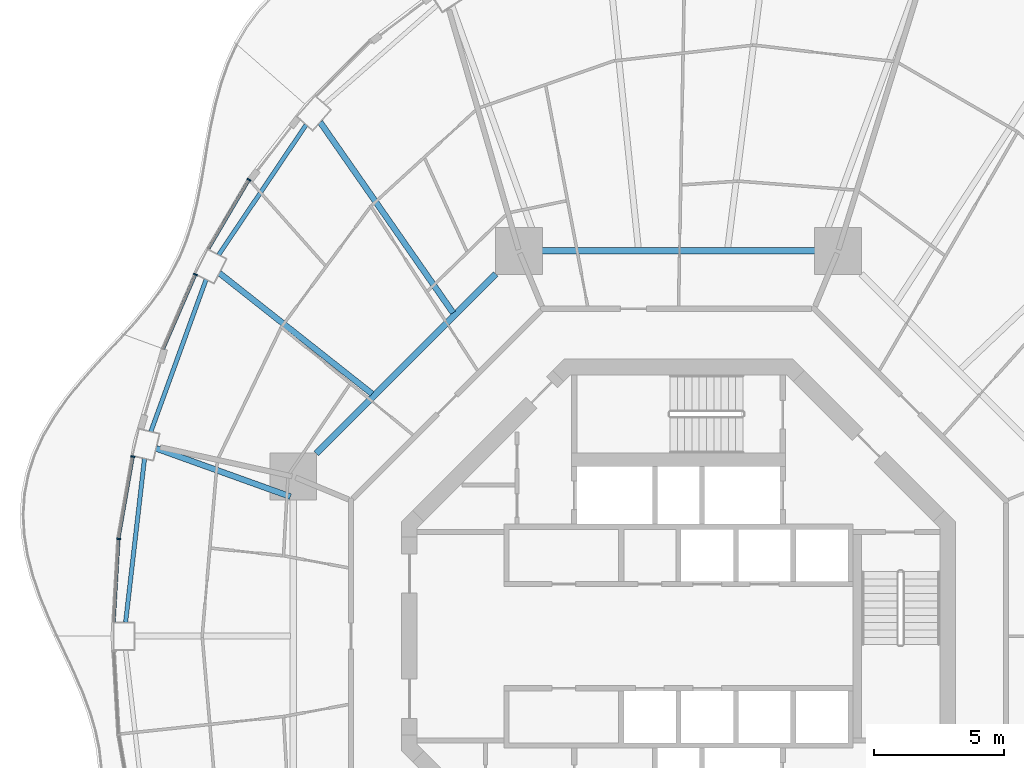
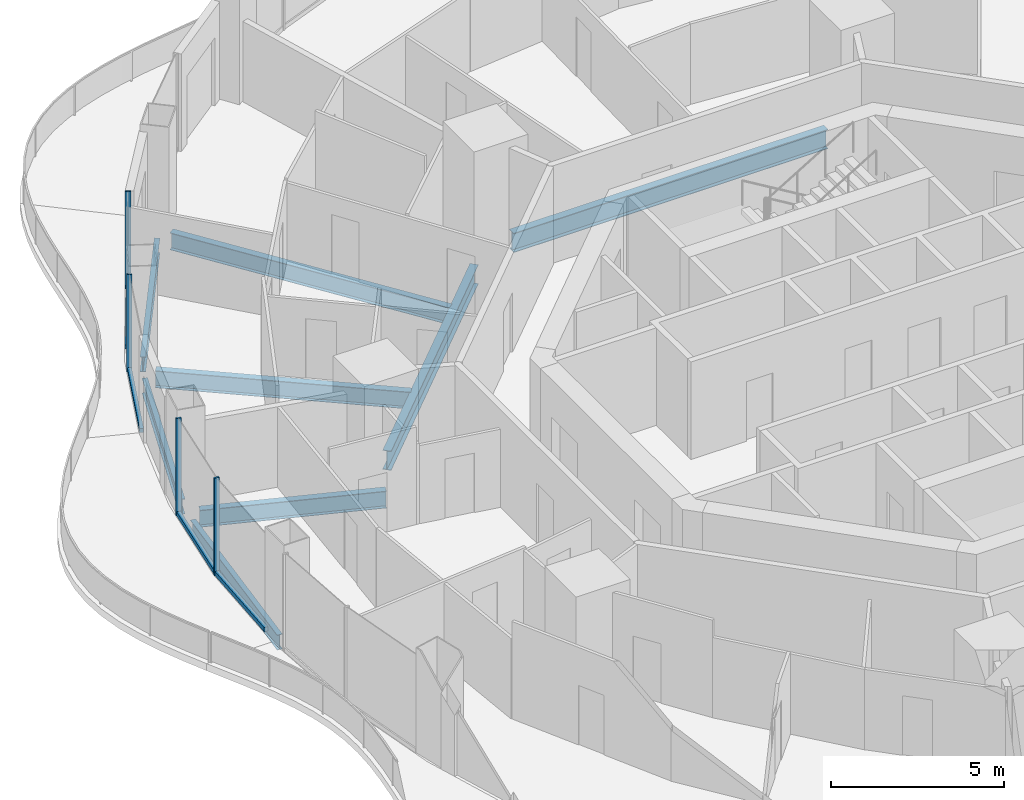
# One storey, part 6 of 19: 8 beams, 8 members, 4 elements without a shape of their own.
"""IFC4 building model written with IfcOpenShell, lengths in metres."""

import ifcopenshell
import ifcopenshell.guid

model = None  # the IFC model being written
_history = None  # IfcOwnerHistory: only IFC2X3 demands one
_inside = {}  # id of a spatial element -> (the spatial element, [elements in it])
_under = {}  # id of a project, library or spatial element -> (it, [spatial elements below it])
_declared = {}  # id of a project -> (the project, [libraries it declares])
_typed = {}  # id of a type object -> (the type object, [elements of that type])
_made_of = {}  # id of a material, layer set ... -> (it, [elements and type objects made of it])


def new_model(schema):
    """Start an empty IFC model of exactly this schema.

    Asked for "IFC4X3", IfcOpenShell would pick the latest addendum, in which some entities
    have other attributes; the version numbers below select the first issue.
    IFC2X3 requires an IfcOwnerHistory on every rooted entity: one is made here for all.
    """
    global model, _history
    if schema == "IFC4X3":
        model = ifcopenshell.file(schema_version=(4, 3, 0, 0))
    else:
        model = ifcopenshell.file(schema=schema)
    _inside.clear()
    _under.clear()
    _declared.clear()
    _typed.clear()
    _made_of.clear()
    _history = None
    if model.schema == "IFC2X3":
        org = make("IfcOrganization", Name="unknown")
        user = make(
            "IfcPersonAndOrganization",
            ThePerson=make("IfcPerson", FamilyName="unknown"),
            TheOrganization=org,
        )
        app = make(
            "IfcApplication",
            ApplicationDeveloper=org,
            Version="unknown",
            ApplicationFullName="unknown",
            ApplicationIdentifier="unknown",
        )
        _history = make(
            "IfcOwnerHistory",
            OwningUser=user,
            OwningApplication=app,
            ChangeAction="ADDED",
            CreationDate=0,
        )
    return model


def make(cls, **values):
    """One entity of the class cls with the attributes given. An attribute that is None is left unset."""
    return model.create_entity(
        cls, **{name: value for name, value in values.items() if value is not None}
    )


def rooted(cls, **values):
    """An entity with a GlobalId (a new one), such as an element, a storey or a relation."""
    return make(cls, GlobalId=ifcopenshell.guid.new(), OwnerHistory=_history, **values)


def si_unit(unit_type, name, prefix=None):
    """IfcSIUnit, for example si_unit("LENGTHUNIT", "METRE", prefix="MILLI")."""
    return make("IfcSIUnit", UnitType=unit_type, Prefix=prefix, Name=name)


def assignment(units):
    """IfcUnitAssignment: the units of a project."""
    return None if units is None else make("IfcUnitAssignment", Units=units)


def point(xyz):
    """IfcCartesianPoint."""
    return None if xyz is None else make("IfcCartesianPoint", Coordinates=xyz)


def direction(xyz):
    """IfcDirection."""
    return None if xyz is None else make("IfcDirection", DirectionRatios=xyz)


def frame(location, z_axis=None, x_axis=None):
    """IfcAxis2Placement3D, a coordinate frame: its origin and axes. An axis left out is left unset."""
    return make(
        "IfcAxis2Placement3D",
        Location=point(location),
        Axis=direction(z_axis),
        RefDirection=direction(x_axis),
    )


def frame_2d(location, x_axis=None):
    """IfcAxis2Placement2D, a coordinate frame in the plane: its origin and x axis."""
    return make(
        "IfcAxis2Placement2D", Location=point(location), RefDirection=direction(x_axis)
    )


def origin():
    """The frame at (0, 0, 0) with its axes left unset."""
    return frame((0.0, 0.0, 0.0))


def origin_2d():
    """The frame at (0, 0) in the plane with its x axis left unset."""
    return frame_2d((0.0, 0.0))


def place(relative_to, where):
    """IfcLocalPlacement: puts the frame where relative to a parent placement (None: the world)."""
    return make(
        "IfcLocalPlacement", PlacementRelTo=relative_to, RelativePlacement=where
    )


def context(
    kind, dimensions, precision=None, world=None, true_north=None, identifier=None
):
    """IfcGeometricRepresentationContext, for example the 3D "Model" context."""
    return make(
        "IfcGeometricRepresentationContext",
        ContextIdentifier=identifier,
        ContextType=kind,
        CoordinateSpaceDimension=dimensions,
        Precision=precision,
        WorldCoordinateSystem=world,
        TrueNorth=true_north,
    )


def subcontext(parent, identifier, kind, view, scale=None):
    """IfcGeometricRepresentationSubContext, for example "Body" below "Model"."""
    return make(
        "IfcGeometricRepresentationSubContext",
        ContextIdentifier=identifier,
        ContextType=kind,
        ParentContext=parent,
        TargetScale=scale,
        TargetView=view,
    )


def project(units=None, contexts=None):
    """IfcProject with its units and contexts."""
    return rooted(
        "IfcProject",
        Name="project",
        RepresentationContexts=contexts,
        UnitsInContext=assignment(units),
    )


def spatial(cls, under=None, at=None, **own):
    """A site, building, storey or space (cls), placed at a placement, below another one or the project."""
    s = rooted(cls, ObjectPlacement=at, **own)
    if under is not None:
        _under.setdefault(under.id(), (under, []))[1].append(s)
    return s


def profile(cls, at=None, kind="AREA", **sizes):
    """A parametric profile (cls). Its sizes go by their IFC names, for example OverallWidth=200.0."""
    return make(cls, ProfileType=kind, Position=at, **sizes)


def rectangle(**sizes):
    """IfcRectangleProfileDef."""
    return profile("IfcRectangleProfileDef", **sizes)


def i_section(**sizes):
    """IfcIShapeProfileDef."""
    return profile("IfcIShapeProfileDef", **sizes)


def extrude(swept, where, along, depth):
    """IfcExtrudedAreaSolid: the profile swept, set in the frame where, extruded along a direction by depth."""
    return make(
        "IfcExtrudedAreaSolid",
        SweptArea=swept,
        Position=where,
        ExtrudedDirection=direction(along),
        Depth=depth,
    )


def shape(context_of_items, identifier, shape_type, items):
    """IfcShapeRepresentation: the items that make up one representation, for example the "Body"."""
    return make(
        "IfcShapeRepresentation",
        ContextOfItems=context_of_items,
        RepresentationIdentifier=identifier,
        RepresentationType=shape_type,
        Items=items,
    )


def material(Name=None, Category=None):
    """IfcMaterial."""
    return make("IfcMaterial", Name=Name, Category=Category)


def layer(
    of_material, thickness, ventilated=None, Name=None, Category=None, Priority=None
):
    """IfcMaterialLayer: one layer of a wall or slab, of a material (None: an air gap)."""
    return make(
        "IfcMaterialLayer",
        Material=of_material,
        LayerThickness=thickness,
        IsVentilated=ventilated,
        Name=Name,
        Category=Category,
        Priority=Priority,
    )


def layer_set(layers, Name=None):
    """IfcMaterialLayerSet."""
    return make("IfcMaterialLayerSet", MaterialLayers=layers, LayerSetName=Name)


def material_profile(
    of_material, cross_section, Name=None, Category=None, Priority=None
):
    """IfcMaterialProfile: a cross section and its material."""
    return make(
        "IfcMaterialProfile",
        Name=Name,
        Material=of_material,
        Profile=cross_section,
        Priority=Priority,
        Category=Category,
    )


def profile_set(profiles, Name=None, composite=None):
    """IfcMaterialProfileSet."""
    return make(
        "IfcMaterialProfileSet",
        Name=Name,
        MaterialProfiles=profiles,
        CompositeProfile=composite,
    )


def made_of(thing, what):
    """Note that an element or type object is made of a material, layer set ...; save() writes the relation."""
    if what is not None:
        _made_of.setdefault(what.id(), (what, []))[1].append(thing)
    return thing


def type_object(cls, material=None, **own):
    """A type object (cls), such as IfcWallType, which elements share."""
    return made_of(rooted(cls, **own), material)


def element(
    cls,
    number,
    at=None,
    inside=None,
    cuts=None,
    type_object=None,
    material=None,
    context=None,
    identifier="Body",
    shape_type=None,
    held_by="IfcProductDefinitionShape",
    body=None,
    shapes=None,
    **own,
):
    """One element of the class cls, such as IfcWall. Its Tag is "e" and its number.

    at: its placement. inside: the storey or other place that contains it. cuts: it is an
    opening in that element (IfcRelVoidsElement). A single representation is given by context,
    identifier, shape_type and body (its items); several are given by shapes. held_by: the class
    of the entity that holds the representations. save() writes the other relations.
    """
    e = rooted(cls, Tag="e%d" % number, ObjectPlacement=at, **own)
    if body is not None:
        shapes = [shape(context, identifier, shape_type, body)]
    if shapes is not None:
        e.Representation = make(held_by, Representations=shapes)
    if inside is not None:
        _inside.setdefault(inside.id(), (inside, []))[1].append(e)
    if cuts is not None:
        rooted(
            "IfcRelVoidsElement", RelatingBuildingElement=cuts, RelatedOpeningElement=e
        )
    if type_object is not None:
        _typed.setdefault(type_object.id(), (type_object, []))[1].append(e)
    return made_of(e, material)


def aggregate(whole, parts):
    """IfcRelAggregates: a whole, such as a stair, and the parts it consists of."""
    return rooted("IfcRelAggregates", RelatingObject=whole, RelatedObjects=parts)


def save(model, path):
    """Write the relations noted so far, then the file.

    IfcRelAggregates (storeys below a building ...), IfcRelContainedInSpatialStructure (elements
    in a storey), IfcRelDefinesByType, IfcRelAssociatesMaterial and IfcRelDeclares: one each for
    every whole, place, type object, material and project.
    """
    for whole, parts in _under.values():
        aggregate(whole, parts)
    for where, things in _inside.values():
        rooted(
            "IfcRelContainedInSpatialStructure",
            RelatedElements=things,
            RelatingStructure=where,
        )
    for kind, things in _typed.values():
        rooted("IfcRelDefinesByType", RelatedObjects=things, RelatingType=kind)
    for what, things in _made_of.values():
        rooted("IfcRelAssociatesMaterial", RelatedObjects=things, RelatingMaterial=what)
    for by, libraries in _declared.values():
        rooted("IfcRelDeclares", RelatingContext=by, RelatedDefinitions=libraries)
    model.write(path)


model = new_model("IFC4")

# Units and contexts
model_context = context("Model", 3, precision=1e-05, world=origin(), true_north=direction((0.0, 1.0)))
body_context = subcontext(model_context, "Body", "Model", "MODEL_VIEW")
ifc_project = project(units=[si_unit("LENGTHUNIT", "METRE"), si_unit("AREAUNIT", "SQUARE_METRE"), si_unit("VOLUMEUNIT", "CUBIC_METRE"), si_unit("PLANEANGLEUNIT", "RADIAN"), si_unit("MASSUNIT", "GRAM", prefix="KILO")], contexts=[model_context])

# Site, building, storey
site_placement = place(None, origin())
site = spatial("IfcSite", under=ifc_project, at=site_placement, CompositionType="ELEMENT")
building_placement = place(site_placement, origin())
building = spatial("IfcBuilding", under=site, at=building_placement, Name="Nagisa Residences", CompositionType="ELEMENT")
storey_placement = place(building_placement, frame((0.0, 0.0, 188.10009765625)))
storey = spatial("IfcBuildingStorey", under=building, at=storey_placement, Name="L47", CompositionType="ELEMENT", Elevation=188.10009765625)

# Curtain wall, member
ifc_material_1 = material(Name="Concrete-coloured aluminium curtain wall system", Category="concrete")
ifc_layer = layer(ifc_material_1, 0.159912109375)
ifc_layer_set = layer_set([ifc_layer], Name="CW1 CURTAIN WALL")
curtain_wall_type = type_object("IfcCurtainWallType", Name="CW1 CURTAIN WALL", PredefinedType="NOTDEFINED", material=ifc_layer_set)
curtain_wall_1_placement = place(storey_placement, origin())
curtain_wall_1 = element("IfcCurtainWall", 1, at=curtain_wall_1_placement, inside=storey, type_object=curtain_wall_type, Name="cw:CW1:L47:19", PredefinedType="NOTDEFINED")
ifc_material_2 = material(Name="Concrete-coloured aluminium", Category="concrete")
ifc_material_profile_1 = material_profile(ifc_material_2, rectangle(XDim=0.159912109375, YDim=0.06005859375, at=origin_2d()), Name="CW1 MULLION 160x60")
ifc_profile_set_1 = profile_set([ifc_material_profile_1], Name="Concrete-coloured aluminium")
member_type_1 = type_object("IfcMemberType", Name="CW1 MULLION 160x60", PredefinedType="MULLION", material=ifc_profile_set_1)
member_1_placement = place(storey_placement, frame((-16.4775390625, 17.51171875, 0.0), z_axis=(0.0, 0.0, 1.0), x_axis=(0.862328898214, -0.506348567002, 0.0)))
member_1 = element("IfcMember", 2, at=member_1_placement, type_object=member_type_1, Name="CW1 mullion", PredefinedType="MULLION", context=body_context, shape_type="SweptSolid", body=[
    extrude(rectangle(XDim=0.159912109375, YDim=0.06005859375, at=origin_2d()), origin(), (0.0, 0.0, 1.0), 3.43994140625),
])

curtain_wall_2_placement = place(storey_placement, origin())
curtain_wall_2 = element("IfcCurtainWall", 3, at=curtain_wall_2_placement, inside=storey, type_object=curtain_wall_type, Name="cw:CW1:L47:20", PredefinedType="NOTDEFINED")
member_2_placement = place(storey_placement, frame((-18.53271484375, 13.87353515625, 0.0), z_axis=(0.0, 0.0, 1.0), x_axis=(0.917543276295, -0.397635934147, 0.0)))
member_2 = element("IfcMember", 4, at=member_2_placement, type_object=member_type_1, Name="CW1 mullion", PredefinedType="MULLION", context=body_context, shape_type="SweptSolid", body=[
    extrude(rectangle(XDim=0.159912109375, YDim=0.06005859375, at=origin_2d()), origin(), (0.0, 0.0, 1.0), 3.43994140625),
])

curtain_wall_3_placement = place(storey_placement, origin())
curtain_wall_3 = element("IfcCurtainWall", 5, at=curtain_wall_3_placement, inside=storey, type_object=curtain_wall_type, Name="cw:CW1:L47:22", PredefinedType="NOTDEFINED")
member_3_placement = place(storey_placement, frame((-20.931396484375, 6.88818359375, 0.0), z_axis=(0.0, 0.0, 1.0), x_axis=(0.985063604377, -0.172190868898, 0.0)))
member_3 = element("IfcMember", 6, at=member_3_placement, type_object=member_type_1, Name="CW1 mullion", PredefinedType="MULLION", context=body_context, shape_type="SweptSolid", body=[
    extrude(rectangle(XDim=0.159912109375, YDim=0.06005859375, at=origin_2d()), origin(), (0.0, 0.0, 1.0), 3.43994140625),
])

curtain_wall_4_placement = place(storey_placement, origin())
curtain_wall_4 = element("IfcCurtainWall", 7, at=curtain_wall_4_placement, inside=storey, type_object=curtain_wall_type, Name="cw:CW1:L47:23", PredefinedType="NOTDEFINED")
member_4_placement = place(storey_placement, frame((-21.479736328125, 3.734375, 0.0), z_axis=(0.0, 0.0, 1.0), x_axis=(0.998345305184, -0.057503492216, 0.0)))
member_4 = element("IfcMember", 8, at=member_4_placement, type_object=member_type_1, Name="CW1 mullion", PredefinedType="MULLION", context=body_context, shape_type="SweptSolid", body=[
    extrude(rectangle(XDim=0.159912109375, YDim=0.06005859375, at=origin_2d()), origin(), (0.0, 0.0, 1.0), 3.43994140625),
])

# Member
ifc_material_3 = material(Name="Concrete-coloured aluminium", Category="concrete")
ifc_material_profile_2 = material_profile(ifc_material_3, rectangle(XDim=0.1201171875, YDim=0.14990234375, at=origin_2d()), Name="CW1 TRANSOM 120x150")
ifc_profile_set_2 = profile_set([ifc_material_profile_2], Name="Concrete-coloured aluminium")
member_type_2 = type_object("IfcMemberType", Name="CW1 TRANSOM 120x150", PredefinedType="USERDEFINED", material=ifc_profile_set_2)
member_5_placement = place(storey_placement, frame((-16.46240234375, 17.53759765625, 0.074951171875), z_axis=(-0.506309086483, -0.862352079458, 0.0), x_axis=(0.862352079458, -0.506309086483, 0.0)))
member_5 = element("IfcMember", 9, at=member_5_placement, type_object=member_type_2, Name="CW1 transom", ObjectType="TRANSOM", PredefinedType="USERDEFINED", context=body_context, shape_type="SweptSolid", body=[
    extrude(rectangle(XDim=0.1201171875, YDim=0.14990234375, at=origin_2d()), origin(), (0.0, 0.0, 1.0), 3.091796875),
])

aggregate(curtain_wall_1, [member_1, member_5])

member_6_placement = place(storey_placement, frame((-18.520751953125, 13.901123046875, 0.074951171875), z_axis=(-0.397592173732, -0.917562239517, 0.0), x_axis=(0.917562239517, -0.397592173732, 0.0)))
member_6 = element("IfcMember", 10, at=member_6_placement, type_object=member_type_2, Name="CW1 transom", ObjectType="TRANSOM", PredefinedType="USERDEFINED", context=body_context, shape_type="SweptSolid", body=[
    extrude(rectangle(XDim=0.1201171875, YDim=0.14990234375, at=origin_2d()), origin(), (0.0, 0.0, 1.0), 3.14208984375),
])

aggregate(curtain_wall_2, [member_2, member_6])

member_7_placement = place(storey_placement, frame((-20.92626953125, 6.917724609375, 0.074951171875), z_axis=(-0.172162664901, -0.98506853407, 0.0), x_axis=(0.98506853407, -0.172162664901, 0.0)))
member_7 = element("IfcMember", 11, at=member_7_placement, type_object=member_type_2, Name="CW1 transom", ObjectType="TRANSOM", PredefinedType="USERDEFINED", context=body_context, shape_type="SweptSolid", body=[
    extrude(rectangle(XDim=0.1201171875, YDim=0.14990234375, at=origin_2d()), origin(), (0.0, 0.0, 1.0), 3.21044921875),
])

aggregate(curtain_wall_3, [member_3, member_7])

member_8_placement = place(storey_placement, frame((-21.47802734375, 3.764404296875, 0.074951171875), z_axis=(-0.057528345118, -0.998343873376, 0.0), x_axis=(0.998343873376, -0.057528345118, 0.0)))
member_8 = element("IfcMember", 12, at=member_8_placement, type_object=member_type_2, Name="CW1 transom", ObjectType="TRANSOM", PredefinedType="USERDEFINED", context=body_context, shape_type="SweptSolid", body=[
    extrude(rectangle(XDim=0.1201171875, YDim=0.14990234375, at=origin_2d()), origin(), (0.0, 0.0, 1.0), 3.225341796875),
])

aggregate(curtain_wall_4, [member_4, member_8])

# Beams
ifc_material_4 = material(Name="Steel ASTM A572 Gr 50", Category="steel")
ifc_material_profile_3 = material_profile(ifc_material_4, i_section(OverallWidth=0.25390625, OverallDepth=0.68408203125, WebThickness=0.012451171875, FlangeThickness=0.018798828125, at=origin_2d()), Name="W690x140")
ifc_profile_set_3 = profile_set([ifc_material_profile_3], Name="Steel ASTM A572 Gr 50")
beam_type_1 = type_object("IfcBeamType", Name="Inner ring beam W690x140", PredefinedType="BEAM", material=ifc_profile_set_3)
beam_1_placement = place(storey_placement, frame((5.242919921875, 14.781982421875, -0.60205078125), z_axis=(-1.0, 0.0, 0.0), x_axis=(0.0, -1.0, 0.0)))
element("IfcBeam", 13, at=beam_1_placement, inside=storey, type_object=beam_type_1, Name="beam:L47:ib2", PredefinedType="BEAM", context=body_context, shape_type="SweptSolid", body=[
    extrude(i_section(OverallWidth=0.25390625, OverallDepth=0.68408203125, WebThickness=0.012451171875, FlangeThickness=0.018798828125, at=origin_2d()), origin(), (0.0, 0.0, 1.0), 10.48583984375),
])
beam_2_placement = place(storey_placement, frame((-7.0087890625, 13.896240234375, -0.60205078125), z_axis=(-0.707106781187, -0.707106781187, 0.0), x_axis=(0.707106781187, -0.707106781187, 0.0)))
element("IfcBeam", 14, at=beam_2_placement, inside=storey, type_object=beam_type_1, Name="beam:L47:ib3", PredefinedType="BEAM", context=body_context, shape_type="SweptSolid", body=[
    extrude(i_section(OverallWidth=0.25390625, OverallDepth=0.68408203125, WebThickness=0.012451171875, FlangeThickness=0.018798828125, at=origin_2d()), origin(), (0.0, 0.0, 1.0), 9.740234375),
])
ifc_material_5 = material(Name="Steel ASTM A572 Gr 50", Category="steel")
ifc_material_profile_4 = material_profile(ifc_material_5, i_section(OverallWidth=0.166015625, OverallDepth=0.534912109375, WebThickness=0.01025390625, FlangeThickness=0.0166015625, at=origin_2d()), Name="W530x85")
ifc_profile_set_4 = profile_set([ifc_material_profile_4], Name="Steel ASTM A572 Gr 50")
beam_type_2 = type_object("IfcBeamType", Name="Perimeter ring beam W530x85", PredefinedType="BEAM", material=ifc_profile_set_4)
beam_3_placement = place(storey_placement, frame((-14.28759765625, 19.62060546875, -0.527587890625), z_axis=(-0.558152301307, -0.829738518177, 0.0), x_axis=(0.829738518177, -0.558152301307, 0.0)))
element("IfcBeam", 15, at=beam_3_placement, inside=storey, type_object=beam_type_2, Name="beam:L47:pb10", PredefinedType="BEAM", context=body_context, shape_type="SweptSolid", body=[
    extrude(i_section(OverallWidth=0.166015625, OverallDepth=0.534912109375, WebThickness=0.01025390625, FlangeThickness=0.0166015625, at=origin_2d()), origin(), (0.0, 0.0, 1.0), 6.013916015625),
])
beam_4_placement = place(storey_placement, frame((-18.124755859375, 13.685546875, -0.527587890625), z_axis=(-0.341285525681, -0.939959674646, 0.0), x_axis=(0.939959674646, -0.341285525681, 0.0)))
element("IfcBeam", 16, at=beam_4_placement, inside=storey, type_object=beam_type_2, Name="beam:L47:pb11", PredefinedType="BEAM", context=body_context, shape_type="SweptSolid", body=[
    extrude(i_section(OverallWidth=0.166015625, OverallDepth=0.534912109375, WebThickness=0.01025390625, FlangeThickness=0.0166015625, at=origin_2d()), origin(), (0.0, 0.0, 1.0), 6.212890625),
])
beam_5_placement = place(storey_placement, frame((-20.488525390625, 6.813720703125, -0.527587890625), z_axis=(-0.114670987431, -0.993403525583, 0.0), x_axis=(0.993403525583, -0.114670987431, 0.0)))
element("IfcBeam", 17, at=beam_5_placement, inside=storey, type_object=beam_type_2, Name="beam:L47:pb12", PredefinedType="BEAM", context=body_context, shape_type="SweptSolid", body=[
    extrude(i_section(OverallWidth=0.166015625, OverallDepth=0.534912109375, WebThickness=0.01025390625, FlangeThickness=0.0166015625, at=origin_2d()), origin(), (0.0, 0.0, 1.0), 6.325439453125),
])
ifc_material_6 = material(Name="Steel ASTM A572 Gr 50", Category="steel")
ifc_material_profile_5 = material_profile(ifc_material_6, i_section(OverallWidth=0.22802734375, OverallDepth=0.60302734375, WebThickness=0.010498046875, FlangeThickness=0.014892578125, at=origin_2d()), Name="W610x101")
ifc_profile_set_5 = profile_set([ifc_material_profile_5], Name="Steel ASTM A572 Gr 50")
beam_type_3 = type_object("IfcBeamType", Name="Radial beam W610x101", PredefinedType="BEAM", material=ifc_profile_set_5)
beam_6_placement = place(storey_placement, frame((-13.75048828125, 19.7216796875, -0.5615234375), z_axis=(0.571934479253, -0.82029930601, 0.0), x_axis=(0.82029930601, 0.571934479253, 0.0)))
element("IfcBeam", 18, at=beam_6_placement, inside=storey, type_object=beam_type_3, Name="beam:L47:rb10", PredefinedType="BEAM", context=body_context, shape_type="SweptSolid", body=[
    extrude(i_section(OverallWidth=0.22802734375, OverallDepth=0.60302734375, WebThickness=0.010498046875, FlangeThickness=0.014892578125, at=origin_2d()), origin(), (0.0, 0.0, 1.0), 8.917724609375),
])
beam_7_placement = place(storey_placement, frame((-17.617919921875, 13.930908203125, -0.5615234375), z_axis=(0.784411523752, -0.620240728593, 0.0), x_axis=(0.620240728593, 0.784411523752, 0.0)))
element("IfcBeam", 19, at=beam_7_placement, inside=storey, type_object=beam_type_3, Name="beam:L47:rb11", PredefinedType="BEAM", context=body_context, shape_type="SweptSolid", body=[
    extrude(i_section(OverallWidth=0.22802734375, OverallDepth=0.60302734375, WebThickness=0.010498046875, FlangeThickness=0.014892578125, at=origin_2d()), origin(), (0.0, 0.0, 1.0), 7.4697265625),
])
beam_8_placement = place(storey_placement, frame((-20.043701171875, 7.2060546875, -0.5615234375), z_axis=(0.941032808963, -0.338315315137, 0.0), x_axis=(0.338315315137, 0.941032808963, 0.0)))
element("IfcBeam", 20, at=beam_8_placement, inside=storey, type_object=beam_type_3, Name="beam:L47:rb12", PredefinedType="BEAM", context=body_context, shape_type="SweptSolid", body=[
    extrude(i_section(OverallWidth=0.22802734375, OverallDepth=0.60302734375, WebThickness=0.010498046875, FlangeThickness=0.014892578125, at=origin_2d()), origin(), (0.0, 0.0, 1.0), 5.4765625),
])

save(model, "model.ifc")
